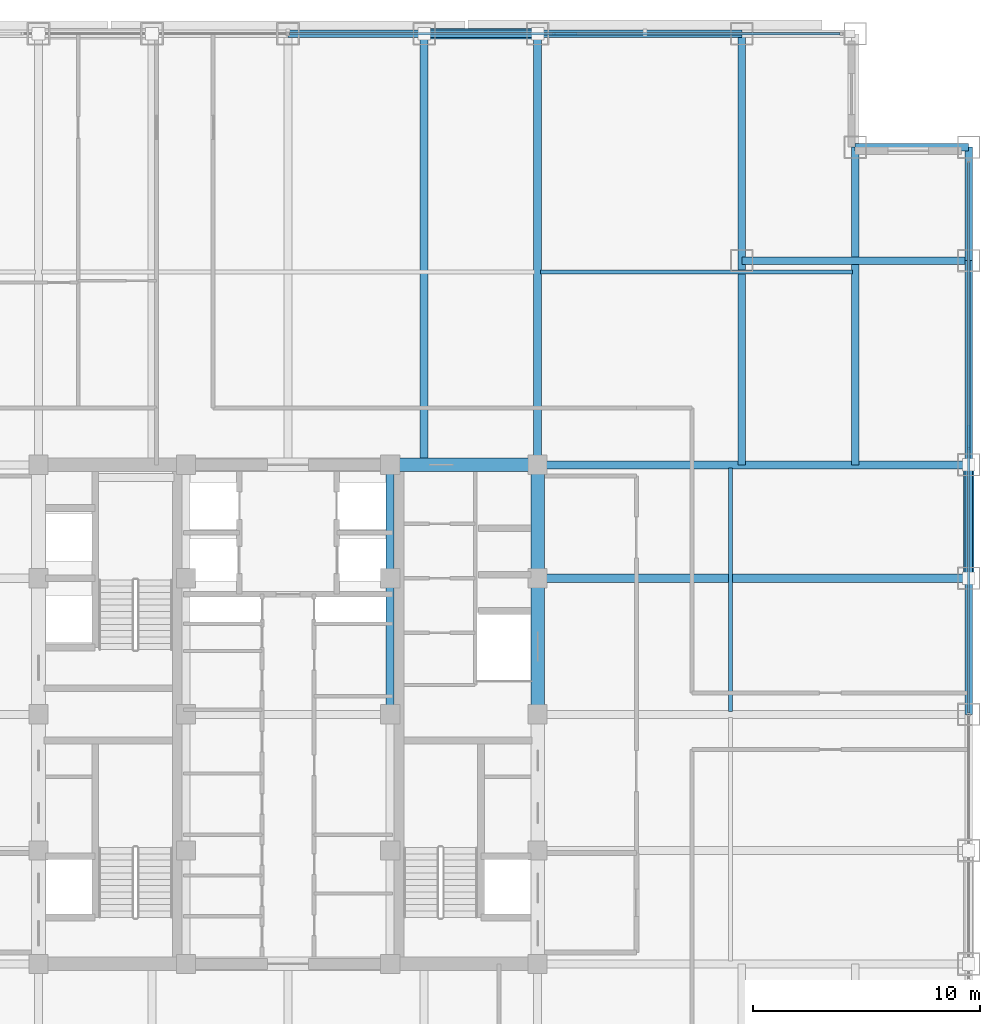
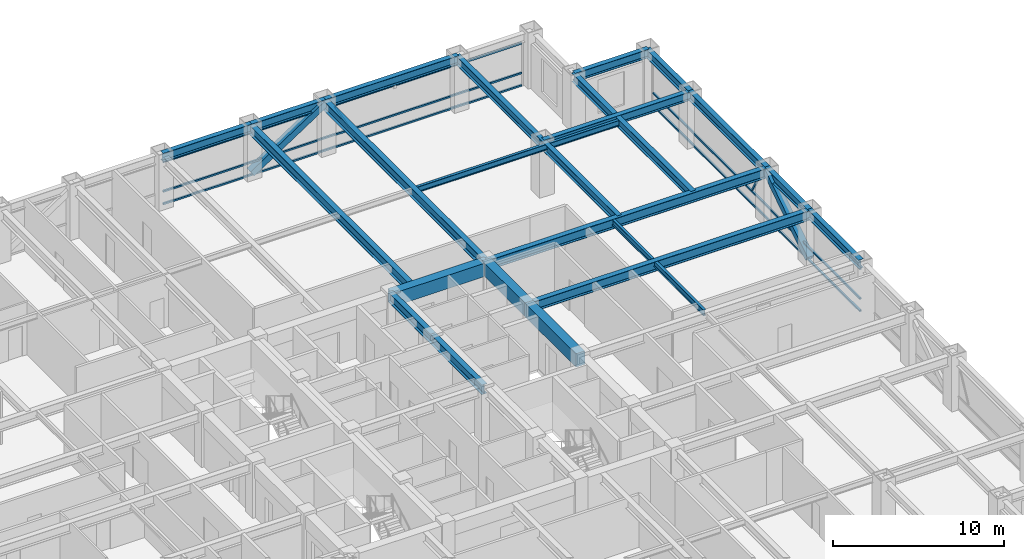
# One storey, part 17 of 29: 22 beams, 10 members, 2 elements without a shape of their own.
"""IFC4 building model written with IfcOpenShell, lengths in metres."""

from ifc_helpers import new_model, si_unit, direction, frame, origin, origin_2d, place, context, subcontext, project, spatial, rectangle, hollow_rectangle, i_section, extrude, source, transform, mapped, material, material_profile, profile_set, type_object, element, aggregate, save


model = new_model("IFC4")

# Units and contexts
model_context = context("Model", 3, precision=1e-05, world=origin(), true_north=direction((0.0, 1.0)))
body_context = subcontext(model_context, "Body", "Model", "MODEL_VIEW")
ifc_project = project(units=[si_unit("LENGTHUNIT", "METRE"), si_unit("AREAUNIT", "SQUARE_METRE"), si_unit("VOLUMEUNIT", "CUBIC_METRE"), si_unit("PLANEANGLEUNIT", "RADIAN"), si_unit("MASSUNIT", "GRAM", prefix="KILO")], contexts=[model_context])

# Site, building, storey
site_placement = place(None, origin())
site = spatial("IfcSite", under=ifc_project, at=site_placement, CompositionType="ELEMENT")
building_placement = place(site_placement, origin())
building = spatial("IfcBuilding", under=site, at=building_placement, Name="Khorayat Bourse Tower", CompositionType="ELEMENT")
storey_placement = place(building_placement, frame((0.0, 0.0, 243.10009765625)))
storey = spatial("IfcBuildingStorey", under=building, at=storey_placement, Name="L57", CompositionType="ELEMENT", Elevation=243.10009765625)

# Beams
ifc_material_1 = material(Name="Steel ASTM A992 Grade 50", Category="steel")
ifc_material_profile_1 = material_profile(ifc_material_1, i_section(OverallWidth=0.35498046875, OverallDepth=0.695068359375, WebThickness=0.015380859375, FlangeThickness=0.02490234375, FilletRadius=0.01806640625, at=origin_2d()), Name="W690X217")
ifc_profile_set_1 = profile_set([ifc_material_profile_1], Name="Steel ASTM A992 Grade 50")
beam_type_1 = type_object("IfcBeamType", Name="BM-GIRD-690", PredefinedType="BEAM", material=ifc_profile_set_1)
shared_shape_1 = source(origin(), body_context, "Body", "SweptSolid", [
    extrude(i_section(OverallWidth=0.35498046875, OverallDepth=0.695068359375, WebThickness=0.015380859375, FlangeThickness=0.02490234375, FilletRadius=0.01806640625, at=origin_2d()), origin(), (0.0, 0.0, 1.0), 5.0),
])
beam_1_placement = place(storey_placement, frame((4.5, 6.0, 3.432373046875), z_axis=(0.0, 1.0, 0.0), x_axis=(-1.0, 0.0, 0.0)))
element("IfcBeam", 1, at=beam_1_placement, inside=storey, type_object=beam_type_1, Name="L57 BM-GIRD-690 BM-L57-CRX-12", PredefinedType="BEAM", context=body_context, shape_type="MappedRepresentation", body=[
    mapped(shared_shape_1, transform((0.0, 0.0, 0.0), scale=1.0)),
])
shared_shape_2 = source(origin(), body_context, "Body", "SweptSolid", [
    extrude(i_section(OverallWidth=0.35498046875, OverallDepth=0.695068359375, WebThickness=0.015380859375, FlangeThickness=0.02490234375, FilletRadius=0.01806640625, at=origin_2d()), origin(), (0.0, 0.0, 1.0), 6.0),
])
beam_2_placement = place(storey_placement, frame((4.5, 0.0, 3.432373046875), z_axis=(0.0, 1.0, 0.0), x_axis=(-1.0, 0.0, 0.0)))
element("IfcBeam", 2, at=beam_2_placement, inside=storey, type_object=beam_type_1, Name="L57 BM-GIRD-690 BM-L57-CRX-11", PredefinedType="BEAM", context=body_context, shape_type="MappedRepresentation", body=[
    mapped(shared_shape_2, transform((0.0, 0.0, 0.0), scale=1.0)),
])
ifc_material_profile_2 = material_profile(ifc_material_1, i_section(OverallWidth=0.324951171875, OverallDepth=0.615966796875, WebThickness=0.013916015625, FlangeThickness=0.021484375, FilletRadius=0.01611328125, at=origin_2d()), Name="W610X174")
ifc_profile_set_2 = profile_set([ifc_material_profile_2], Name="Steel ASTM A992 Grade 50")
beam_type_2 = type_object("IfcBeamType", Name="BM-GIRD-610", PredefinedType="BEAM", material=ifc_profile_set_2)
shared_shape_3 = source(origin(), body_context, "Body", "SweptSolid", [
    extrude(i_section(OverallWidth=0.324951171875, OverallDepth=0.615966796875, WebThickness=0.013916015625, FlangeThickness=0.021484375, FilletRadius=0.01611328125, at=origin_2d()), origin(), (0.0, 0.0, 1.0), 19.0),
])
beam_3_placement = place(storey_placement, frame((20.0, 11.0, 3.471923828125), z_axis=(0.0, 1.0, 0.0), x_axis=(-1.0, 0.0, 0.0)))
element("IfcBeam", 3, at=beam_3_placement, inside=storey, type_object=beam_type_2, Name="L57 BM-GIRD-610 BM-L57-CNRY-087", PredefinedType="BEAM", context=body_context, shape_type="MappedRepresentation", body=[
    mapped(shared_shape_3, transform((0.0, 0.0, 0.0), scale=1.0)),
])
shared_shape_4 = source(origin(), body_context, "Body", "SweptSolid", [
    extrude(i_section(OverallWidth=0.324951171875, OverallDepth=0.615966796875, WebThickness=0.013916015625, FlangeThickness=0.021484375, FilletRadius=0.01611328125, at=origin_2d()), origin(), (0.0, 0.0, 1.0), 10.0),
])
beam_4_placement = place(storey_placement, frame((20.0, 20.0, 3.471923828125), z_axis=(1.0, 0.0, 0.0), x_axis=(0.0, 1.0, 0.0)))
element("IfcBeam", 4, at=beam_4_placement, inside=storey, type_object=beam_type_2, Name="L57 BM-GIRD-610 BM-L57-CNRX-094", PredefinedType="BEAM", context=body_context, shape_type="MappedRepresentation", body=[
    mapped(shared_shape_4, transform((0.0, 0.0, 0.0), scale=1.0)),
])
ifc_material_profile_3 = material_profile(ifc_material_1, i_section(OverallWidth=0.180908203125, OverallDepth=0.4169921875, WebThickness=0.010986328125, FlangeThickness=0.018310546875, FilletRadius=0.011962890625, at=origin_2d()), Name="W410X85")
ifc_profile_set_3 = profile_set([ifc_material_profile_3], Name="Steel ASTM A992 Grade 50")
beam_type_3 = type_object("IfcBeamType", Name="BM-JOIST-410", PredefinedType="JOIST", material=ifc_profile_set_3)
shared_shape_5 = source(origin(), body_context, "Body", "SweptSolid", [
    extrude(i_section(OverallWidth=0.180908203125, OverallDepth=0.4169921875, WebThickness=0.010986328125, FlangeThickness=0.018310546875, FilletRadius=0.011962890625, at=origin_2d()), origin(), (0.0, 0.0, 1.0), 10.740234375),
])
beam_5_placement = place(storey_placement, frame((19.5, 0.1298828125, 3.5712890625), z_axis=(0.0, 1.0, 0.0), x_axis=(-1.0, 0.0, 0.0)))
element("IfcBeam", 5, at=beam_5_placement, inside=storey, type_object=beam_type_3, Name="L57 BM-JOIST-410 BM-L57-JSTY-105", PredefinedType="JOIST", context=body_context, shape_type="MappedRepresentation", body=[
    mapped(shared_shape_5, transform((0.0, 0.0, 0.0), scale=1.0)),
])
ifc_material_profile_4 = material_profile(ifc_material_1, i_section(OverallWidth=0.324951171875, OverallDepth=0.615966796875, WebThickness=0.013916015625, FlangeThickness=0.021484375, FilletRadius=0.01611328125, at=origin_2d()), Name="W610X174")
ifc_profile_set_4 = profile_set([ifc_material_profile_4], Name="Steel ASTM A992 Grade 50")
beam_type_4 = type_object("IfcBeamType", Name="BM-SPAN-610", PredefinedType="SPANDREL", material=ifc_profile_set_4)
shared_shape_6 = source(origin(), body_context, "Body", "SweptSolid", [
    extrude(i_section(OverallWidth=0.324951171875, OverallDepth=0.615966796875, WebThickness=0.013916015625, FlangeThickness=0.021484375, FilletRadius=0.01611328125, at=origin_2d()), origin(), (0.0, 0.0, 1.0), 9.0),
])
for number, where, z_axis, x_axis, name in (
    (6, (30.0, 11.0, 3.471923828125), (0.0, 1.0, 0.0), (-1.0, 0.0, 0.0), "L57 BM-SPAN-610 BM-L57-SPN-040"),
    (7, (11.0, 30.0, 3.471923828125), (1.0, 0.0, 0.0), (0.0, 1.0, 0.0), "L57 BM-SPAN-610 BM-L57-SPN-045"),
):
    element("IfcBeam", number, at=place(storey_placement, frame(where, z_axis=z_axis, x_axis=x_axis)), inside=storey, type_object=beam_type_4, Name=name, PredefinedType="SPANDREL", context=body_context, shape_type="MappedRepresentation", body=[
        mapped(shared_shape_6, transform((0.0, 0.0, 0.0), scale=1.0)),
    ])
shared_shape_7 = source(origin(), body_context, "Body", "SweptSolid", [
    extrude(i_section(OverallWidth=0.324951171875, OverallDepth=0.615966796875, WebThickness=0.013916015625, FlangeThickness=0.021484375, FilletRadius=0.01611328125, at=origin_2d()), origin(), (0.0, 0.0, 1.0), 5.0),
])
for number, where, z_axis, x_axis, name in (
    (8, (30.0, 6.0, 3.471923828125), (0.0, 1.0, 0.0), (-1.0, 0.0, 0.0), "L57 BM-SPAN-610 BM-L57-SPN-039"),
    (9, (30.0, 20.0, 3.471923828125), (0.0, 1.0, 0.0), (-1.0, 0.0, 0.0), "L57 BM-SPAN-610 BM-L57-SPN-041"),
    (10, (25.0, 25.0, 3.471923828125), (1.0, 0.0, 0.0), (0.0, 1.0, 0.0), "L57 BM-SPAN-610 BM-L57-SPN-042"),
    (11, (6.0, 30.0, 3.471923828125), (1.0, 0.0, 0.0), (0.0, 1.0, 0.0), "L57 BM-SPAN-610 BM-L57-SPN-046"),
):
    element("IfcBeam", number, at=place(storey_placement, frame(where, z_axis=z_axis, x_axis=x_axis)), inside=storey, type_object=beam_type_4, Name=name, PredefinedType="SPANDREL", context=body_context, shape_type="MappedRepresentation", body=[
        mapped(shared_shape_7, transform((0.0, 0.0, 0.0), scale=1.0)),
    ])
shared_shape_8 = source(origin(), body_context, "Body", "SweptSolid", [
    extrude(i_section(OverallWidth=0.324951171875, OverallDepth=0.615966796875, WebThickness=0.013916015625, FlangeThickness=0.021484375, FilletRadius=0.01611328125, at=origin_2d()), origin(), (0.0, 0.0, 1.0), 6.0),
])
for number, where, z_axis, x_axis, name in (
    (12, (30.0, 0.0, 3.471923828125), (0.0, 1.0, 0.0), (-1.0, 0.0, 0.0), "L57 BM-SPAN-610 BM-L57-SPN-038"),
    (13, (0.0, 30.0, 3.471923828125), (1.0, 0.0, 0.0), (0.0, 1.0, 0.0), "L57 BM-SPAN-610 BM-L57-SPN-047"),
):
    element("IfcBeam", number, at=place(storey_placement, frame(where, z_axis=z_axis, x_axis=x_axis)), inside=storey, type_object=beam_type_4, Name=name, PredefinedType="SPANDREL", context=body_context, shape_type="MappedRepresentation", body=[
        mapped(shared_shape_8, transform((0.0, 0.0, 0.0), scale=1.0)),
    ])
ifc_material_2 = material(Name="Concrete C60/75", Category="concrete")
ifc_material_profile_5 = material_profile(ifc_material_2, rectangle(XDim=0.60009765625, YDim=0.949951171875, at=origin_2d()), Name="RC 600x950")
ifc_profile_set_5 = profile_set([ifc_material_profile_5], Name="Concrete C60/75")
beam_type_5 = type_object("IfcBeamType", Name="BM-COUP-950", PredefinedType="BEAM", material=ifc_profile_set_5)
shared_shape_9 = source(origin(), body_context, "Body", "SweptSolid", [
    extrude(rectangle(XDim=0.60009765625, YDim=0.949951171875, at=origin_2d()), origin(), (0.0, 0.0, 1.0), 5.0),
])
beam_6_placement = place(storey_placement, frame((11.0, 6.0, 3.304931640625), z_axis=(0.0, 1.0, 0.0), x_axis=(-1.0, 0.0, 0.0)))
element("IfcBeam", 14, at=beam_6_placement, inside=storey, type_object=beam_type_5, Name="L57 BM-COUP-950 BM-L57-CRX-16", PredefinedType="BEAM", context=body_context, shape_type="MappedRepresentation", body=[
    mapped(shared_shape_9, transform((0.0, 0.0, 0.0), scale=1.0)),
])
shared_shape_10 = source(origin(), body_context, "Body", "SweptSolid", [
    extrude(rectangle(XDim=0.60009765625, YDim=0.949951171875, at=origin_2d()), origin(), (0.0, 0.0, 1.0), 6.0),
])
beam_7_placement = place(storey_placement, frame((11.0, 0.0, 3.304931640625), z_axis=(0.0, 1.0, 0.0), x_axis=(-1.0, 0.0, 0.0)))
element("IfcBeam", 15, at=beam_7_placement, inside=storey, type_object=beam_type_5, Name="L57 BM-COUP-950 BM-L57-CRX-15", PredefinedType="BEAM", context=body_context, shape_type="MappedRepresentation", body=[
    mapped(shared_shape_10, transform((0.0, 0.0, 0.0), scale=1.0)),
])
shared_shape_11 = source(origin(), body_context, "Body", "SweptSolid", [
    extrude(rectangle(XDim=0.60009765625, YDim=0.949951171875, at=origin_2d()), origin(), (0.0, 0.0, 1.0), 6.5),
])
beam_8_placement = place(storey_placement, frame((4.5, 11.0, 3.304931640625), z_axis=(1.0, 0.0, 0.0), x_axis=(0.0, 1.0, 0.0)))
element("IfcBeam", 16, at=beam_8_placement, inside=storey, type_object=beam_type_5, Name="L57 BM-COUP-950 BM-L57-CRY-22", PredefinedType="BEAM", context=body_context, shape_type="MappedRepresentation", body=[
    mapped(shared_shape_11, transform((0.0, 0.0, 0.0), scale=1.0)),
])
shared_shape_12 = source(origin(), body_context, "Body", "SweptSolid", [
    extrude(i_section(OverallWidth=0.35498046875, OverallDepth=0.695068359375, WebThickness=0.015380859375, FlangeThickness=0.02490234375, FilletRadius=0.01806640625, at=origin_2d()), origin(), (0.0, 0.0, 1.0), 19.0),
])
for number, where, z_axis, x_axis, name in (
    (17, (6.0, 11.0, 3.432373046875), (0.0, 1.0, 0.0), (-1.0, 0.0, 0.0), "L57 BM-GIRD-690 BM-L57-RADY-070"),
    (18, (11.0, 11.0, 3.432373046875), (0.0, 1.0, 0.0), (-1.0, 0.0, 0.0), "L57 BM-GIRD-690 BM-L57-RADY-072"),
    (19, (11.0, 6.0, 3.432373046875), (1.0, 0.0, 0.0), (0.0, 1.0, 0.0), "L57 BM-GIRD-690 BM-L57-RADX-080"),
    (20, (11.0, 11.0, 3.432373046875), (1.0, 0.0, 0.0), (0.0, 1.0, 0.0), "L57 BM-GIRD-690 BM-L57-RADX-082"),
):
    element("IfcBeam", number, at=place(storey_placement, frame(where, z_axis=z_axis, x_axis=x_axis)), inside=storey, type_object=beam_type_1, Name=name, PredefinedType="BEAM", context=body_context, shape_type="MappedRepresentation", body=[
        mapped(shared_shape_12, transform((0.0, 0.0, 0.0), scale=1.0)),
    ])
shared_shape_13 = source(origin(), body_context, "Body", "SweptSolid", [
    extrude(i_section(OverallWidth=0.324951171875, OverallDepth=0.615966796875, WebThickness=0.013916015625, FlangeThickness=0.021484375, FilletRadius=0.01611328125, at=origin_2d()), origin(), (0.0, 0.0, 1.0), 14.0),
])
beam_9_placement = place(storey_placement, frame((25.0, 11.0, 3.471923828125), z_axis=(0.0, 1.0, 0.0), x_axis=(-1.0, 0.0, 0.0)))
element("IfcBeam", 21, at=beam_9_placement, inside=storey, type_object=beam_type_2, Name="L57 BM-GIRD-610 BM-L57-CNRY-091", PredefinedType="BEAM", context=body_context, shape_type="MappedRepresentation", body=[
    mapped(shared_shape_13, transform((0.0, 0.0, 0.0), scale=1.0)),
])
shared_shape_14 = source(origin(), body_context, "Body", "SweptSolid", [
    extrude(i_section(OverallWidth=0.180908203125, OverallDepth=0.4169921875, WebThickness=0.010986328125, FlangeThickness=0.018310546875, FilletRadius=0.011962890625, at=origin_2d()), origin(), (0.0, 0.0, 1.0), 13.740234375),
])
beam_10_placement = place(storey_placement, frame((11.1298828125, 19.5, 3.5712890625), z_axis=(1.0, 0.0, 0.0), x_axis=(0.0, 1.0, 0.0)))
element("IfcBeam", 22, at=beam_10_placement, inside=storey, type_object=beam_type_3, Name="L57 BM-JOIST-410 BM-L57-JSTX-101", PredefinedType="JOIST", context=body_context, shape_type="MappedRepresentation", body=[
    mapped(shared_shape_14, transform((0.0, 0.0, 0.0), scale=1.0)),
])

# Members
ifc_material_3 = material(Name="Steel EN 10025-4 S460M", Category="steel")
ifc_material_profile_6 = material_profile(ifc_material_3, hollow_rectangle(XDim=0.449951171875, YDim=0.449951171875, WallThickness=0.02490234375, at=origin_2d()), Name="HSS 450x450x25")
ifc_profile_set_6 = profile_set([ifc_material_profile_6], Name="Steel EN 10025-4 S460M")
member_type_1 = type_object("IfcMemberType", Name="MBR-TUBE-450", PredefinedType="BRACE", material=ifc_profile_set_6)
shared_shape_15 = source(origin(), body_context, "Body", "SweptSolid", [
    extrude(hollow_rectangle(XDim=0.449951171875, YDim=0.449951171875, WallThickness=0.02490234375, at=origin_2d()), origin(), (0.0, 0.0, 1.0), 5.979736328125),
])
for number, where, z_axis, x_axis, name in (
    (23, (6.0, 30.0, 0.25), (0.836160261256, 0.0, 0.548485202623), (0.0, 1.0, 0.0), "L57 Perimeter Tube Brace 04"),
    (24, (30.0, 6.0, 0.25), (0.0, 0.836160261256, 0.548485202623), (-1.0, 0.0, 0.0), "L57 Perimeter Tube Brace 08"),
):
    element("IfcMember", number, at=place(storey_placement, frame(where, z_axis=z_axis, x_axis=x_axis)), inside=storey, type_object=member_type_1, Name=name, PredefinedType="BRACE", context=body_context, shape_type="MappedRepresentation", body=[
        mapped(shared_shape_15, transform((0.0, 0.0, 0.0), scale=1.0)),
    ])

# Curtain wall, member
ifc_material_4 = material(Name="Aluminium EN AW-6063 T6", Category="aluminium")
curtain_wall_type = type_object("IfcCurtainWallType", Name="CW-SYS-03", PredefinedType="NOTDEFINED", material=ifc_material_4)
curtain_wall_1_placement = place(storey_placement, origin())
curtain_wall_1 = element("IfcCurtainWall", 25, at=curtain_wall_1_placement, inside=storey, type_object=curtain_wall_type, Name="L57 Curtain Wall CW-L57-N1", PredefinedType="NOTDEFINED")
ifc_material_profile_7 = material_profile(ifc_material_4, hollow_rectangle(XDim=0.1201171875, YDim=0.1201171875, WallThickness=0.0048828125, at=origin_2d()), Name="ALU 120x120x5")
ifc_profile_set_7 = profile_set([ifc_material_profile_7], Name="Aluminium EN AW-6063 T6")
member_type_2 = type_object("IfcMemberType", Name="CWM-DIAG-120", PredefinedType="MULLION", material=ifc_profile_set_7)
shared_shape_16 = source(origin(), body_context, "Body", "SweptSolid", [
    extrude(hollow_rectangle(XDim=0.1201171875, YDim=0.1201171875, WallThickness=0.0048828125, at=origin_2d()), origin(), (0.0, 0.0, 1.0), 2.079345703125),
])
member_1_placement = place(storey_placement, frame((12.67919921875, 30.0, 1.08984375), z_axis=(-0.465760949701, 0.0, 0.884910581773), x_axis=(0.0, -1.0, 0.0)))
member_1 = element("IfcMember", 26, at=member_1_placement, type_object=member_type_2, Name="CW-L57-N1 Faceted Diagonal Mullion 2", PredefinedType="MULLION", context=body_context, shape_type="MappedRepresentation", body=[
    mapped(shared_shape_16, transform((0.0, 0.0, 0.0), scale=1.0)),
])

curtain_wall_2_placement = place(storey_placement, origin())
curtain_wall_2 = element("IfcCurtainWall", 27, at=curtain_wall_2_placement, inside=storey, type_object=curtain_wall_type, Name="L57 Curtain Wall CW-L57-E1", PredefinedType="NOTDEFINED")
member_2_placement = place(storey_placement, frame((30.0, 12.67919921875, 1.08984375), z_axis=(0.0, -0.465760949701, 0.884910581773), x_axis=(1.0, 0.0, 0.0)))
member_2 = element("IfcMember", 28, at=member_2_placement, type_object=member_type_2, Name="CW-L57-E1 Faceted Diagonal Mullion 2", PredefinedType="MULLION", context=body_context, shape_type="MappedRepresentation", body=[
    mapped(shared_shape_16, transform((0.0, 0.0, 0.0), scale=1.0)),
])

# Member
ifc_material_profile_8 = material_profile(ifc_material_4, hollow_rectangle(XDim=0.1201171875, YDim=0.1201171875, WallThickness=0.0048828125, at=origin_2d()), Name="ALU 120x120x5")
ifc_profile_set_8 = profile_set([ifc_material_profile_8], Name="Aluminium EN AW-6063 T6")
member_type_3 = type_object("IfcMemberType", Name="CWT-HORZ-120", PredefinedType="USERDEFINED", material=ifc_profile_set_8)
shared_shape_17 = source(origin(), body_context, "Body", "SweptSolid", [
    extrude(hollow_rectangle(XDim=0.1201171875, YDim=0.1201171875, WallThickness=0.0048828125, at=origin_2d()), origin(), (0.0, 0.0, 1.0), 24.27001953125),
])
member_3_placement = place(storey_placement, frame((0.06005859375, 30.0, 0.059814453125), z_axis=(1.0, 0.0, 0.0), x_axis=(0.0, 1.0, 0.0)))
member_3 = element("IfcMember", 29, at=member_3_placement, type_object=member_type_3, Name="CW-L57-N1 Horizontal Transom 2-1", ObjectType="TRANSOM", PredefinedType="USERDEFINED", context=body_context, shape_type="MappedRepresentation", body=[
    mapped(shared_shape_17, transform((0.0, 0.0, 0.0), scale=1.0)),
])

member_4_placement = place(storey_placement, frame((0.06005859375, 30.0, 0.949951171875), z_axis=(1.0, 0.0, 0.0), x_axis=(0.0, 1.0, 0.0)))
member_4 = element("IfcMember", 30, at=member_4_placement, type_object=member_type_3, Name="CW-L57-N1 Horizontal Transom 2-2", ObjectType="TRANSOM", PredefinedType="USERDEFINED", context=body_context, shape_type="MappedRepresentation", body=[
    mapped(shared_shape_17, transform((0.0, 0.0, 0.0), scale=1.0)),
])

member_5_placement = place(storey_placement, frame((0.06005859375, 30.0, 3.06982421875), z_axis=(1.0, 0.0, 0.0), x_axis=(0.0, 1.0, 0.0)))
member_5 = element("IfcMember", 31, at=member_5_placement, type_object=member_type_3, Name="CW-L57-N1 Horizontal Transom 2-3", ObjectType="TRANSOM", PredefinedType="USERDEFINED", context=body_context, shape_type="MappedRepresentation", body=[
    mapped(shared_shape_17, transform((0.0, 0.0, 0.0), scale=1.0)),
])

aggregate(curtain_wall_1, [member_3, member_4, member_5, member_1])

member_6_placement = place(storey_placement, frame((30.0, 0.06005859375, 0.059814453125), z_axis=(0.0, 1.0, 0.0), x_axis=(-1.0, 0.0, 0.0)))
member_6 = element("IfcMember", 32, at=member_6_placement, type_object=member_type_3, Name="CW-L57-E1 Horizontal Transom 2-1", ObjectType="TRANSOM", PredefinedType="USERDEFINED", context=body_context, shape_type="MappedRepresentation", body=[
    mapped(shared_shape_17, transform((0.0, 0.0, 0.0), scale=1.0)),
])

member_7_placement = place(storey_placement, frame((30.0, 0.06005859375, 0.949951171875), z_axis=(0.0, 1.0, 0.0), x_axis=(-1.0, 0.0, 0.0)))
member_7 = element("IfcMember", 33, at=member_7_placement, type_object=member_type_3, Name="CW-L57-E1 Horizontal Transom 2-2", ObjectType="TRANSOM", PredefinedType="USERDEFINED", context=body_context, shape_type="MappedRepresentation", body=[
    mapped(shared_shape_17, transform((0.0, 0.0, 0.0), scale=1.0)),
])

member_8_placement = place(storey_placement, frame((30.0, 0.06005859375, 3.06982421875), z_axis=(0.0, 1.0, 0.0), x_axis=(-1.0, 0.0, 0.0)))
member_8 = element("IfcMember", 34, at=member_8_placement, type_object=member_type_3, Name="CW-L57-E1 Horizontal Transom 2-3", ObjectType="TRANSOM", PredefinedType="USERDEFINED", context=body_context, shape_type="MappedRepresentation", body=[
    mapped(shared_shape_17, transform((0.0, 0.0, 0.0), scale=1.0)),
])

aggregate(curtain_wall_2, [member_6, member_7, member_8, member_2])

save(model, "model.ifc")
